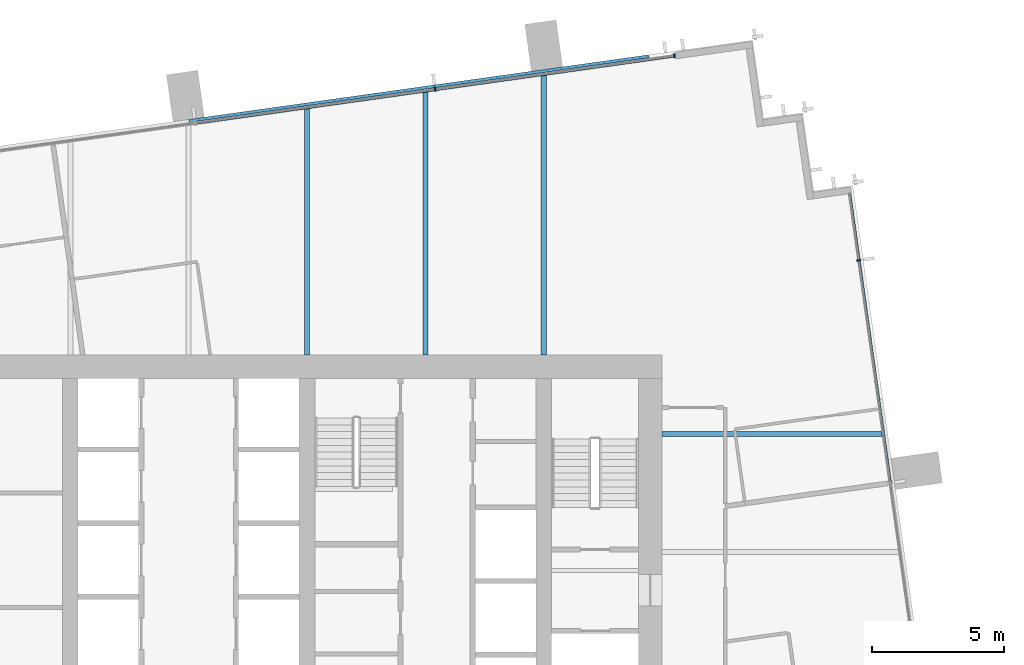
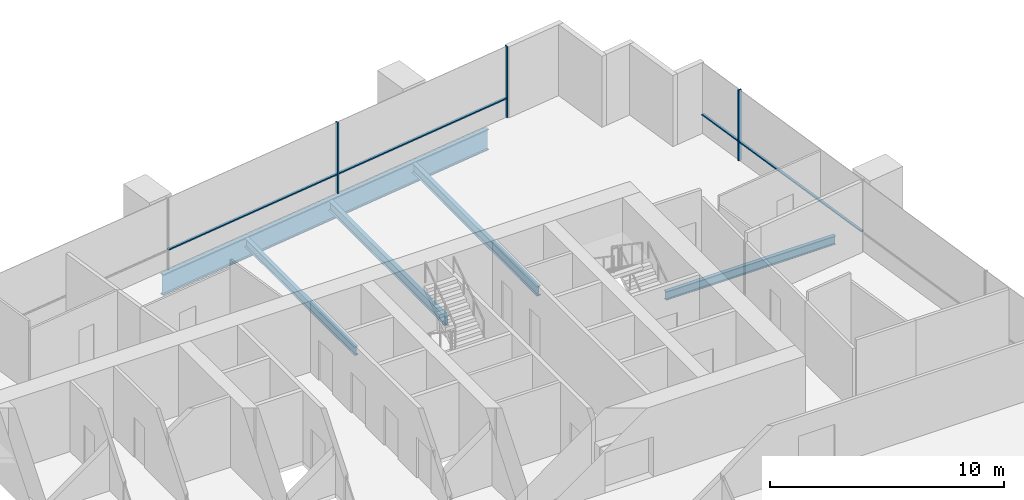
# One storey, part 7 of 14: 7 members, 5 beams, 2 elements without a shape of their own.
"""IFC4 building model written with IfcOpenShell, lengths in metres."""

from ifc_helpers import new_model, si_unit, direction, frame, origin, origin_2d, place, context, subcontext, project, spatial, rectangle, i_section, extrude, material, material_profile, profile_set, type_object, element, aggregate, save


model = new_model("IFC4")

# Units and contexts
model_context = context("Model", 3, precision=1e-05, world=origin(), true_north=direction((0.0, 1.0)))
body_context = subcontext(model_context, "Body", "Model", "MODEL_VIEW")
ifc_project = project(units=[si_unit("LENGTHUNIT", "METRE"), si_unit("AREAUNIT", "SQUARE_METRE"), si_unit("VOLUMEUNIT", "CUBIC_METRE"), si_unit("PLANEANGLEUNIT", "RADIAN"), si_unit("MASSUNIT", "GRAM", prefix="KILO")], contexts=[model_context])

# Site, building, storey
site_placement = place(None, origin())
site = spatial("IfcSite", under=ifc_project, at=site_placement, CompositionType="ELEMENT")
building_placement = place(site_placement, origin())
building = spatial("IfcBuilding", under=site, at=building_placement, Name="Rattan Terrace Tower", CompositionType="ELEMENT")
storey_placement = place(building_placement, frame((0.0, 0.0, 172.39990234375)))
storey = spatial("IfcBuildingStorey", under=building, at=storey_placement, Name="L39", CompositionType="ELEMENT", Elevation=172.39990234375)

# Curtain wall, member
ifc_material_1 = material(Name="Aluminium and glass", Category="aluminium")
curtain_wall_type = type_object("IfcCurtainWallType", Name="Facade Unitised Curtain Wall", PredefinedType="NOTDEFINED", material=ifc_material_1)
curtain_wall_1_placement = place(storey_placement, origin())
curtain_wall_1 = element("IfcCurtainWall", 1, at=curtain_wall_1_placement, inside=storey, type_object=curtain_wall_type, Name="Curtain wall L39-1", PredefinedType="NOTDEFINED")
ifc_material_2 = material(Name="Aluminium", Category="aluminium")
ifc_material_profile_1 = material_profile(ifc_material_2, rectangle(XDim=0.06005859375, YDim=0.159912109375, at=origin_2d()), Name="Aluminium 60x160")
ifc_profile_set_1 = profile_set([ifc_material_profile_1], Name="Aluminium")
member_type_1 = type_object("IfcMemberType", Name="Facade CW Mullion 60x160", PredefinedType="MULLION", material=ifc_profile_set_1)
member_1_placement = place(storey_placement, frame((25.477294921875, 11.092529296875, 0.0), z_axis=(0.0, 0.0, 1.0), x_axis=(-0.139190856006, 0.99026557327, 0.0)))
member_1 = element("IfcMember", 2, at=member_1_placement, type_object=member_type_1, Name="Mullion cwl-L39-001.4", PredefinedType="MULLION", context=body_context, shape_type="SweptSolid", body=[
    extrude(rectangle(XDim=0.06005859375, YDim=0.159912109375, at=origin_2d()), origin(), (0.0, 0.0, 1.0), 3.7001953125),
])

# Curtain wall, members
curtain_wall_2_placement = place(storey_placement, origin())
curtain_wall_2 = element("IfcCurtainWall", 3, at=curtain_wall_2_placement, inside=storey, type_object=curtain_wall_type, Name="Curtain wall L39-2", PredefinedType="NOTDEFINED")
member_2_placement = place(storey_placement, frame((18.467041015625, 18.87255859375, 0.0), z_axis=(0.0, 0.0, 1.0), x_axis=(-0.990269702686, -0.139161474347, 0.0)))
member_2 = element("IfcMember", 4, at=member_2_placement, type_object=member_type_1, Name="Mullion cwl-L39-002.1", PredefinedType="MULLION", context=body_context, shape_type="SweptSolid", body=[
    extrude(rectangle(XDim=0.06005859375, YDim=0.159912109375, at=origin_2d()), origin(), (0.0, 0.0, 1.0), 3.7001953125),
])
member_3_placement = place(storey_placement, frame((9.373291015625, 17.594482421875, 0.0), z_axis=(0.0, 0.0, 1.0), x_axis=(-0.990269702686, -0.139161474347, 0.0)))
member_3 = element("IfcMember", 5, at=member_3_placement, type_object=member_type_1, Name="Mullion cwl-L39-002.2", PredefinedType="MULLION", context=body_context, shape_type="SweptSolid", body=[
    extrude(rectangle(XDim=0.06005859375, YDim=0.159912109375, at=origin_2d()), origin(), (0.0, 0.0, 1.0), 3.7001953125),
])

# Member
ifc_material_3 = material(Name="Aluminium", Category="aluminium")
ifc_material_profile_2 = material_profile(ifc_material_3, rectangle(XDim=0.1201171875, YDim=0.06005859375, at=origin_2d()), Name="Aluminium 120x60")
ifc_profile_set_2 = profile_set([ifc_material_profile_2], Name="Aluminium")
member_type_2 = type_object("IfcMemberType", Name="Facade CW Transom 120x60", PredefinedType="USERDEFINED", material=ifc_profile_set_2)
member_4_placement = place(storey_placement, frame((26.663330078125, 2.655517578125, 1.0), z_axis=(-0.139178607515, 0.99026729483, 0.0), x_axis=(-0.99026729483, -0.139178607515, 0.0)))
member_4 = element("IfcMember", 6, at=member_4_placement, type_object=member_type_2, Name="Transom cwl-L39-001.3", ObjectType="TRANSOM", PredefinedType="USERDEFINED", context=body_context, shape_type="SweptSolid", body=[
    extrude(rectangle(XDim=0.1201171875, YDim=0.06005859375, at=origin_2d()), origin(), (0.0, 0.0, 1.0), 8.489990234375),
])

member_5_placement = place(storey_placement, frame((25.47314453125, 11.122314453125, 1.0), z_axis=(-0.139106713562, 0.990277396613, 0.0), x_axis=(-0.990277396613, -0.139106713562, 0.0)))
member_5 = element("IfcMember", 7, at=member_5_placement, type_object=member_type_2, Name="Transom cwl-L39-001.4", ObjectType="TRANSOM", PredefinedType="USERDEFINED", context=body_context, shape_type="SweptSolid", body=[
    extrude(rectangle(XDim=0.1201171875, YDim=0.06005859375, at=origin_2d()), origin(), (0.0, 0.0, 1.0), 2.525634765625),
])

aggregate(curtain_wall_1, [member_1, member_4, member_5])

member_6_placement = place(storey_placement, frame((18.437255859375, 18.868408203125, 1.0), z_axis=(-0.990266494002, -0.139184305354, 0.0), x_axis=(0.139184305354, -0.990266494002, 0.0)))
member_6 = element("IfcMember", 8, at=member_6_placement, type_object=member_type_2, Name="Transom cwl-L39-002.1", ObjectType="TRANSOM", PredefinedType="USERDEFINED", context=body_context, shape_type="SweptSolid", body=[
    extrude(rectangle(XDim=0.1201171875, YDim=0.06005859375, at=origin_2d()), origin(), (0.0, 0.0, 1.0), 9.123046875),
])

member_7_placement = place(storey_placement, frame((9.343505859375, 17.59033203125, 1.0), z_axis=(-0.990270711765, -0.139154293575, 0.0), x_axis=(0.139154293575, -0.990270711765, 0.0)))
member_7 = element("IfcMember", 9, at=member_7_placement, type_object=member_type_2, Name="Transom cwl-L39-002.2", ObjectType="TRANSOM", PredefinedType="USERDEFINED", context=body_context, shape_type="SweptSolid", body=[
    extrude(rectangle(XDim=0.1201171875, YDim=0.06005859375, at=origin_2d()), origin(), (0.0, 0.0, 1.0), 9.153076171875),
])

aggregate(curtain_wall_2, [member_2, member_3, member_6, member_7])

# Beams
ifc_material_4 = material(Name="Steel S460", Category="steel")
ifc_material_profile_3 = material_profile(ifc_material_4, i_section(OverallWidth=0.179931640625, OverallDepth=1.10009765625, WebThickness=0.01611328125, FlangeThickness=0.050048828125, at=origin_2d()), Name="PG 1100x180-16-50")
ifc_profile_set_3 = profile_set([ifc_material_profile_3], Name="Steel S460")
beam_type_1 = type_object("IfcBeamType", Name="Frame edge girder PG 1100x180-16-50", PredefinedType="SPANDREL", material=ifc_profile_set_3)
beam_1_placement = place(storey_placement, frame((17.4990234375, 18.818115234375, -0.75), z_axis=(-0.990264173921, -0.139200811234, 0.0), x_axis=(0.139200811234, -0.990264173921, 0.0)))
element("IfcBeam", 10, at=beam_1_placement, inside=storey, type_object=beam_type_1, Name="gdr-L39-007", PredefinedType="SPANDREL", context=body_context, shape_type="SweptSolid", body=[
    extrude(i_section(OverallWidth=0.179931640625, OverallDepth=1.10009765625, WebThickness=0.01611328125, FlangeThickness=0.050048828125, at=origin_2d()), origin(), (0.0, 0.0, 1.0), 17.657958984375),
])
ifc_material_5 = material(Name="Steel S355", Category="steel")
ifc_material_profile_4 = material_profile(ifc_material_5, i_section(OverallWidth=0.18994140625, OverallDepth=0.449951171875, WebThickness=0.009521484375, FlangeThickness=0.0146484375, FilletRadius=0.02099609375, at=origin_2d()), Name="IPE 450")
ifc_profile_set_4 = profile_set([ifc_material_profile_4], Name="Steel S355")
beam_type_2 = type_object("IfcBeamType", Name="Frame floor beam IPE 450", PredefinedType="JOIST", material=ifc_profile_set_4)
beam_2_placement = place(storey_placement, frame((18.0, 4.5, -0.4248046875), z_axis=(1.0, 0.0, 0.0), x_axis=(0.0, 1.0, 0.0)))
element("IfcBeam", 11, at=beam_2_placement, inside=storey, type_object=beam_type_2, Name="bm-L39-015", PredefinedType="JOIST", context=body_context, shape_type="SweptSolid", body=[
    extrude(i_section(OverallWidth=0.18994140625, OverallDepth=0.449951171875, WebThickness=0.009521484375, FlangeThickness=0.0146484375, FilletRadius=0.02099609375, at=origin_2d()), origin(), (0.0, 0.0, 1.0), 8.381103515625),
])
beam_3_placement = place(storey_placement, frame((4.5, 7.5, -0.4248046875), z_axis=(0.0, 1.0, 0.0), x_axis=(-1.0, 0.0, 0.0)))
element("IfcBeam", 12, at=beam_3_placement, inside=storey, type_object=beam_type_2, Name="bm-L39-020", PredefinedType="JOIST", context=body_context, shape_type="SweptSolid", body=[
    extrude(i_section(OverallWidth=0.18994140625, OverallDepth=0.449951171875, WebThickness=0.009521484375, FlangeThickness=0.0146484375, FilletRadius=0.02099609375, at=origin_2d()), origin(), (0.0, 0.0, 1.0), 9.385986328125),
])
ifc_material_6 = material(Name="Steel S355", Category="steel")
ifc_material_profile_5 = material_profile(ifc_material_6, i_section(OverallWidth=0.199951171875, OverallDepth=0.5, WebThickness=0.01025390625, FlangeThickness=0.01611328125, FilletRadius=0.02099609375, at=origin_2d()), Name="IPE 500")
ifc_profile_set_5 = profile_set([ifc_material_profile_5], Name="Steel S355")
beam_type_3 = type_object("IfcBeamType", Name="Frame floor beam IPE 500", PredefinedType="JOIST", material=ifc_profile_set_5)
beam_4_placement = place(storey_placement, frame((9.0, 7.5, -0.449951171875), z_axis=(0.0, 1.0, 0.0), x_axis=(-1.0, 0.0, 0.0)))
element("IfcBeam", 13, at=beam_4_placement, inside=storey, type_object=beam_type_3, Name="bm-L39-021", PredefinedType="JOIST", context=body_context, shape_type="SweptSolid", body=[
    extrude(i_section(OverallWidth=0.199951171875, OverallDepth=0.5, WebThickness=0.01025390625, FlangeThickness=0.01611328125, FilletRadius=0.02099609375, at=origin_2d()), origin(), (0.0, 0.0, 1.0), 10.01806640625),
])
beam_5_placement = place(storey_placement, frame((13.5, 7.5, -0.449951171875), z_axis=(0.0, 1.0, 0.0), x_axis=(-1.0, 0.0, 0.0)))
element("IfcBeam", 14, at=beam_5_placement, inside=storey, type_object=beam_type_3, Name="bm-L39-022", PredefinedType="JOIST", context=body_context, shape_type="SweptSolid", body=[
    extrude(i_section(OverallWidth=0.199951171875, OverallDepth=0.5, WebThickness=0.01025390625, FlangeThickness=0.01611328125, FilletRadius=0.02099609375, at=origin_2d()), origin(), (0.0, 0.0, 1.0), 10.65087890625),
])

save(model, "model.ifc")
